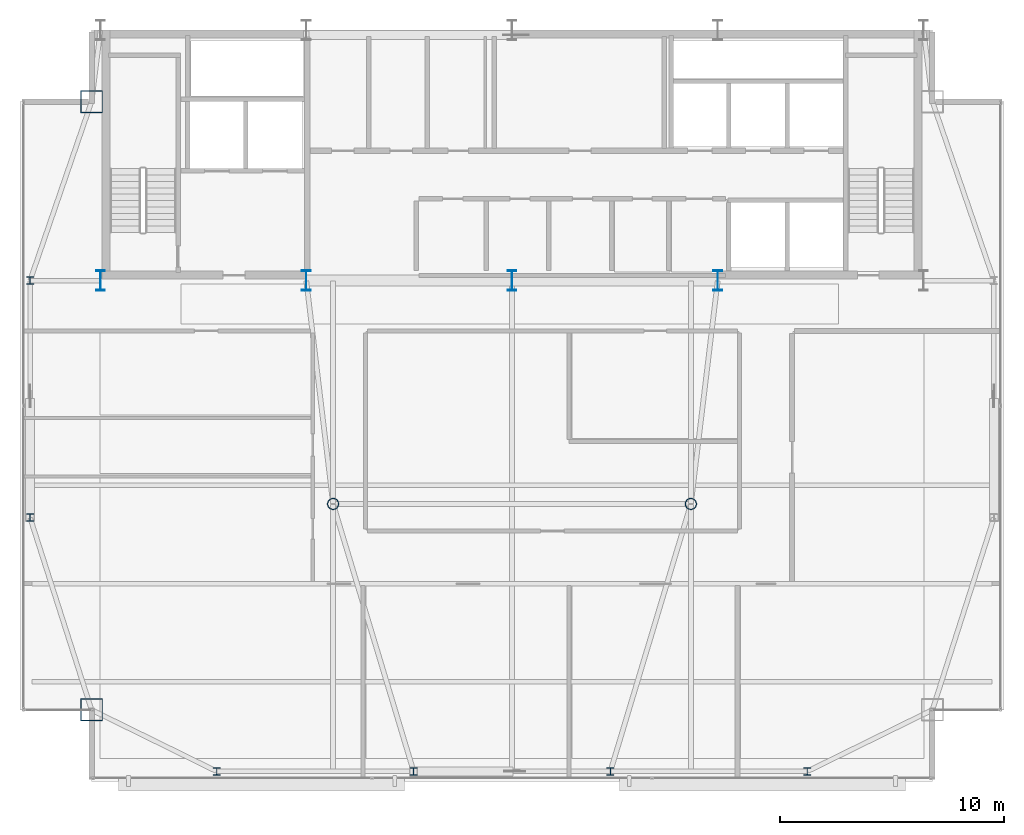
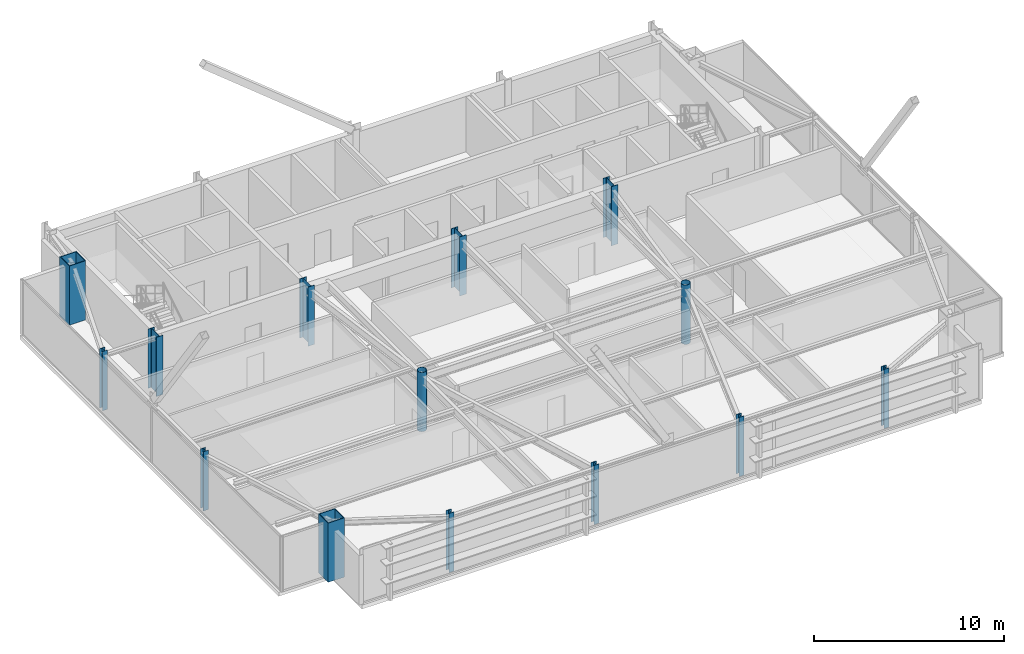
# One storey, part 1 of 24: 14 columns.
"""IFC4 building model written with IfcOpenShell, lengths in metres."""

from ifc_helpers import new_model, si_unit, direction, frame, origin, origin_2d, place, context, subcontext, project, spatial, hollow_rectangle, hollow_circle, i_section, extrude, source, transform, mapped, material, material_profile, profile_set, type_object, type_shapes, element, save


model = new_model("IFC4")

# Units and contexts
model_context = context("Model", 3, precision=1e-05, world=origin(), true_north=direction((0.0, 1.0)))
body_context = subcontext(model_context, "Body", "Model", "MODEL_VIEW")
ifc_project = project(units=[si_unit("LENGTHUNIT", "METRE"), si_unit("AREAUNIT", "SQUARE_METRE"), si_unit("VOLUMEUNIT", "CUBIC_METRE"), si_unit("PLANEANGLEUNIT", "RADIAN"), si_unit("MASSUNIT", "GRAM", prefix="KILO")], contexts=[model_context])

# Site, building, storey
site_placement = place(None, origin())
site = spatial("IfcSite", under=ifc_project, at=site_placement, CompositionType="ELEMENT")
building_placement = place(site_placement, origin())
building = spatial("IfcBuilding", under=site, at=building_placement, Name="Varnel Quay Broadcast Tower", CompositionType="ELEMENT")
storey_placement = place(building_placement, frame((0.0, 0.0, 262.199951171875)))
storey = spatial("IfcBuildingStorey", under=building, at=storey_placement, Name="L65", CompositionType="ELEMENT", Elevation=262.199951171875)

# Columns
ifc_material_1 = material(Name="Structural Steel CSA G40.21 350WT", Category="steel")
ifc_material_profile_1 = material_profile(ifc_material_1, i_section(OverallWidth=0.39990234375, OverallDepth=0.89990234375, WebThickness=0.01611328125, FlangeThickness=0.028076171875, FilletRadius=0.01611328125, at=origin_2d()), Name="WWF900X309")
ifc_profile_set_1 = profile_set([ifc_material_profile_1], Name="Structural Steel CSA G40.21 350WT")
column_type_1 = type_object("IfcColumnType", Name="Col_WWF900X309", PredefinedType="COLUMN", material=ifc_profile_set_1)
shared_shape_1 = source(origin(), body_context, "Body", "SweptSolid", [
    extrude(i_section(OverallWidth=0.39990234375, OverallDepth=0.89990234375, WebThickness=0.01611328125, FlangeThickness=0.028076171875, FilletRadius=0.01611328125, at=origin_2d()), origin(), (0.0, 0.0, 1.0), 3.800048828125),
])
type_shapes(column_type_1, [shared_shape_1])
for number, where, z_axis, x_axis, name in (
    (1, (15.60009765625, 35.60009765625, 0.0), (0.0, 0.0, 1.0), (1.0, 0.0, 0.0), "L65 Column CC-S1"),
    (2, (24.800048828125, 35.60009765625, 0.0), (0.0, 0.0, 1.0), (1.0, 0.0, 0.0), "L65 Column CC-S2"),
    (3, (34.0, 35.60009765625, 0.0), (0.0, 0.0, 1.0), (1.0, 0.0, 0.0), "L65 Column CC-S3"),
    (4, (43.199951171875, 35.60009765625, 0.0), (0.0, 0.0, 1.0), (1.0, 0.0, 0.0), "L65 Column CC-S4"),
):
    element("IfcColumn", number, at=place(storey_placement, frame(where, z_axis=z_axis, x_axis=x_axis)), inside=storey, type_object=column_type_1, Name=name, PredefinedType="COLUMN", context=body_context, shape_type="MappedRepresentation", body=[
        mapped(shared_shape_1, transform((0.0, 0.0, 0.0), x_axis=(1.0, 0.0, 0.0), y_axis=(0.0, 1.0, 0.0), z_axis=(0.0, 0.0, 1.0), scale=1.0)),
    ])
ifc_material_profile_2 = material_profile(ifc_material_1, hollow_rectangle(XDim=1.0, YDim=1.0, WallThickness=0.0400390625, at=origin_2d()), Name="BOX1000X1000X40")
ifc_profile_set_2 = profile_set([ifc_material_profile_2], Name="Structural Steel CSA G40.21 350WT")
column_type_2 = type_object("IfcColumnType", Name="Col_BOX1000X1000X40", PredefinedType="COLUMN", material=ifc_profile_set_2)
shared_shape_2 = source(origin(), body_context, "Body", "SweptSolid", [
    extrude(hollow_rectangle(XDim=1.0, YDim=1.0, WallThickness=0.0400390625, at=origin_2d()), origin(), (0.0, 0.0, 1.0), 3.800048828125),
])
type_shapes(column_type_2, [shared_shape_2])
for number, where, z_axis, x_axis, name in (
    (5, (15.199951171875, 16.39990234375, 0.0), (0.0, 0.0, 1.0), (1.0, 0.0, 0.0), "L65 Column MC-SW"),
    (6, (15.199951171875, 43.60009765625, 0.0), (0.0, 0.0, 1.0), (1.0, 0.0, 0.0), "L65 Column MC-NW"),
):
    element("IfcColumn", number, at=place(storey_placement, frame(where, z_axis=z_axis, x_axis=x_axis)), inside=storey, type_object=column_type_2, Name=name, PredefinedType="COLUMN", context=body_context, shape_type="MappedRepresentation", body=[
        mapped(shared_shape_2, transform((0.0, 0.0, 0.0), x_axis=(1.0, 0.0, 0.0), y_axis=(0.0, 1.0, 0.0), z_axis=(0.0, 0.0, 1.0), scale=1.0)),
    ])
ifc_material_2 = material(Name="Structural Steel CSA G40.21 350W", Category="steel")
ifc_material_profile_3 = material_profile(ifc_material_2, i_section(OverallWidth=0.30908203125, OverallDepth=0.322998046875, WebThickness=0.013916015625, FlangeThickness=0.02294921875, FilletRadius=0.014892578125, at=origin_2d()), Name="W310X143")
ifc_profile_set_3 = profile_set([ifc_material_profile_3], Name="Structural Steel CSA G40.21 350W")
column_type_3 = type_object("IfcColumnType", Name="Col_W310X143", PredefinedType="COLUMN", material=ifc_profile_set_3)
shared_shape_3 = source(origin(), body_context, "Body", "SweptSolid", [
    extrude(i_section(OverallWidth=0.30908203125, OverallDepth=0.322998046875, WebThickness=0.013916015625, FlangeThickness=0.02294921875, FilletRadius=0.014892578125, at=origin_2d()), origin(), (0.0, 0.0, 1.0), 3.800048828125),
])
type_shapes(column_type_3, [shared_shape_3])
for number, where, z_axis, x_axis, name in (
    (7, (20.800048828125, 13.64990234375, 0.0), (0.0, 0.0, 1.0), (1.0, 0.0, 0.0), "L65 Column TC-S1"),
    (8, (29.60009765625, 13.64990234375, 0.0), (0.0, 0.0, 1.0), (1.0, 0.0, 0.0), "L65 Column TC-S2"),
    (9, (38.39990234375, 13.64990234375, 0.0), (0.0, 0.0, 1.0), (1.0, 0.0, 0.0), "L65 Column TC-S3"),
    (10, (47.199951171875, 13.64990234375, 0.0), (0.0, 0.0, 1.0), (1.0, 0.0, 0.0), "L65 Column TC-S4"),
    (11, (12.449951171875, 25.0, 0.0), (0.0, 0.0, 1.0), (1.0, 0.0, 0.0), "L65 Column TC-W1"),
    (12, (12.449951171875, 35.60009765625, 0.0), (0.0, 0.0, 1.0), (1.0, 0.0, 0.0), "L65 Column TC-W2"),
):
    element("IfcColumn", number, at=place(storey_placement, frame(where, z_axis=z_axis, x_axis=x_axis)), inside=storey, type_object=column_type_3, Name=name, PredefinedType="COLUMN", context=body_context, shape_type="MappedRepresentation", body=[
        mapped(shared_shape_3, transform((0.0, 0.0, 0.0), x_axis=(1.0, 0.0, 0.0), y_axis=(0.0, 1.0, 0.0), z_axis=(0.0, 0.0, 1.0), scale=1.0)),
    ])
ifc_material_profile_4 = material_profile(ifc_material_2, hollow_circle(Radius=0.25390625, WallThickness=0.02001953125, at=origin_2d()), Name="CHS508X20")
ifc_profile_set_4 = profile_set([ifc_material_profile_4], Name="Structural Steel CSA G40.21 350W")
column_type_4 = type_object("IfcColumnType", Name="Col_CHS508X20", PredefinedType="COLUMN", material=ifc_profile_set_4)
shared_shape_4 = source(origin(), body_context, "Body", "SweptSolid", [
    extrude(hollow_circle(Radius=0.25390625, WallThickness=0.02001953125, at=origin_2d()), origin(), (0.0, 0.0, 1.0), 3.800048828125),
])
type_shapes(column_type_4, [shared_shape_4])
for number, where, z_axis, x_axis, name in (
    (13, (26.0, 25.610107421875, 0.0), (0.0, 0.0, 1.0), (1.0, 0.0, 0.0), "L65 Column IC-01"),
    (14, (42.0, 25.610107421875, 0.0), (0.0, 0.0, 1.0), (1.0, 0.0, 0.0), "L65 Column IC-02"),
):
    element("IfcColumn", number, at=place(storey_placement, frame(where, z_axis=z_axis, x_axis=x_axis)), inside=storey, type_object=column_type_4, Name=name, PredefinedType="COLUMN", context=body_context, shape_type="MappedRepresentation", body=[
        mapped(shared_shape_4, transform((0.0, 0.0, 0.0), x_axis=(1.0, 0.0, 0.0), y_axis=(0.0, 1.0, 0.0), z_axis=(0.0, 0.0, 1.0), scale=1.0)),
    ])

save(model, "model.ifc")
